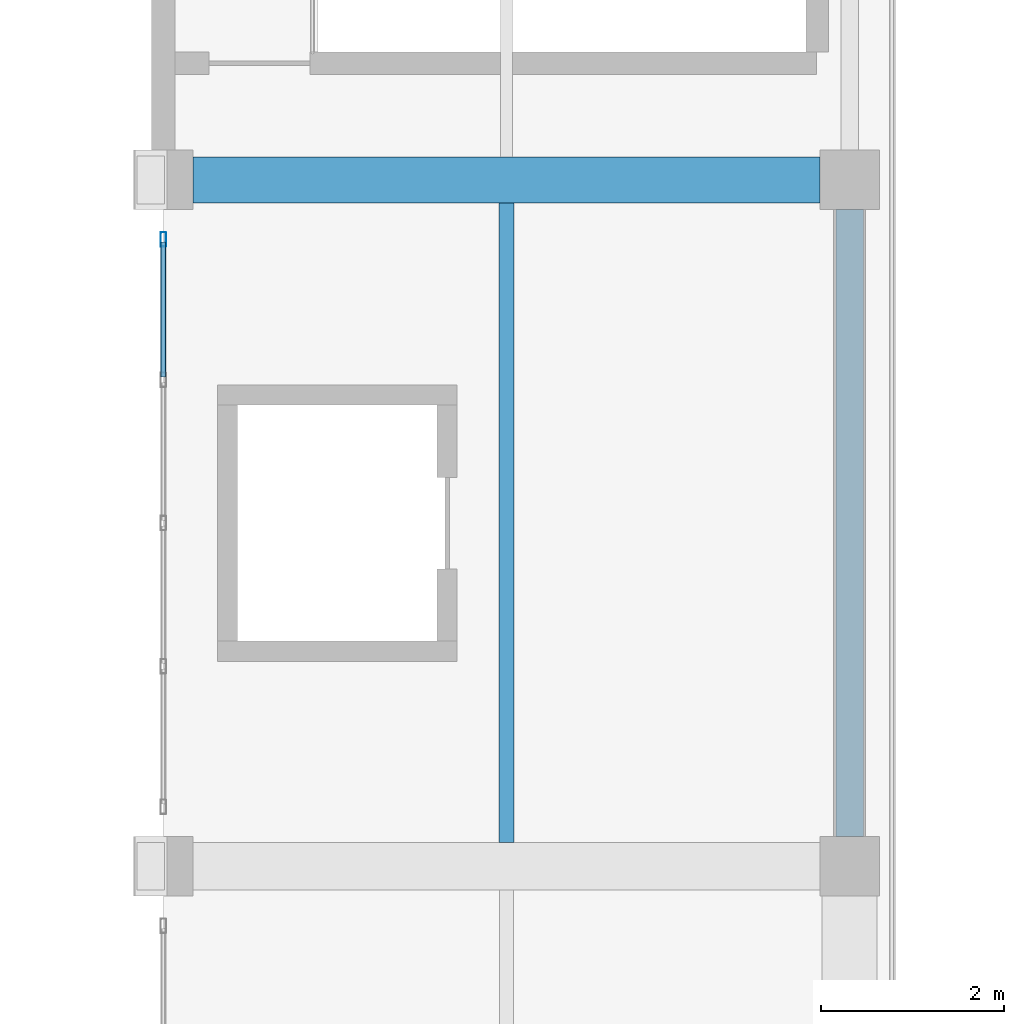
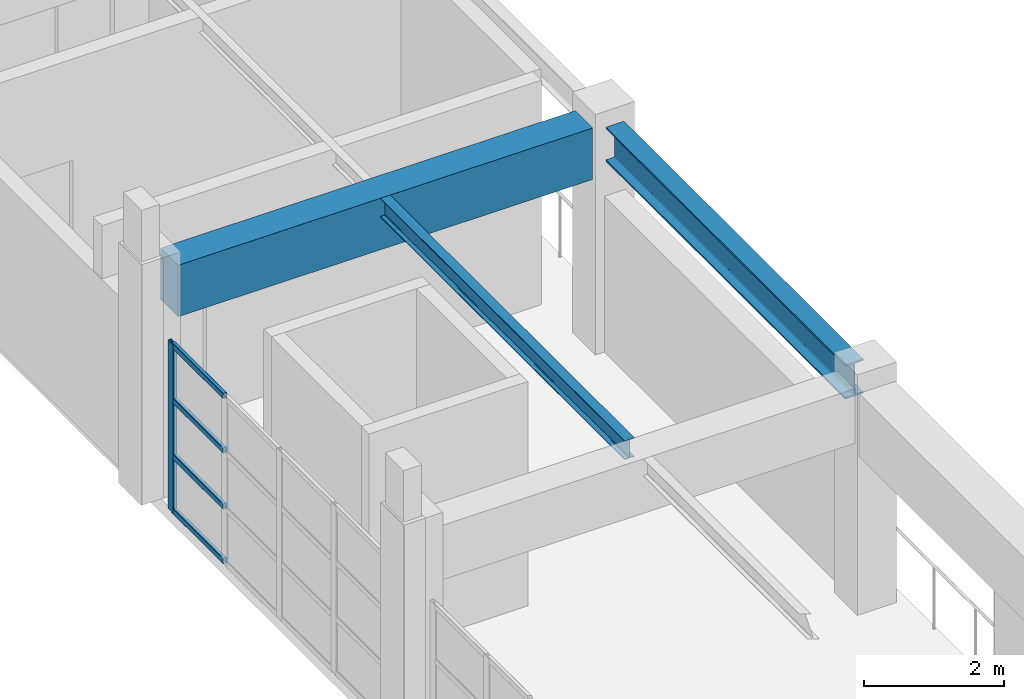
# One storey, part 5 of 51: 5 members, 3 beams, 1 element without a shape of its own.
"""IFC4 building model written with IfcOpenShell, lengths in metres."""

import ifcopenshell
import ifcopenshell.guid

model = None  # the IFC model being written
_history = None  # IfcOwnerHistory: only IFC2X3 demands one
_inside = {}  # id of a spatial element -> (the spatial element, [elements in it])
_under = {}  # id of a project, library or spatial element -> (it, [spatial elements below it])
_declared = {}  # id of a project -> (the project, [libraries it declares])
_typed = {}  # id of a type object -> (the type object, [elements of that type])
_made_of = {}  # id of a material, layer set ... -> (it, [elements and type objects made of it])


def new_model(schema):
    """Start an empty IFC model of exactly this schema.

    Asked for "IFC4X3", IfcOpenShell would pick the latest addendum, in which some entities
    have other attributes; the version numbers below select the first issue.
    IFC2X3 requires an IfcOwnerHistory on every rooted entity: one is made here for all.
    """
    global model, _history
    if schema == "IFC4X3":
        model = ifcopenshell.file(schema_version=(4, 3, 0, 0))
    else:
        model = ifcopenshell.file(schema=schema)
    _inside.clear()
    _under.clear()
    _declared.clear()
    _typed.clear()
    _made_of.clear()
    _history = None
    if model.schema == "IFC2X3":
        org = make("IfcOrganization", Name="unknown")
        user = make(
            "IfcPersonAndOrganization",
            ThePerson=make("IfcPerson", FamilyName="unknown"),
            TheOrganization=org,
        )
        app = make(
            "IfcApplication",
            ApplicationDeveloper=org,
            Version="unknown",
            ApplicationFullName="unknown",
            ApplicationIdentifier="unknown",
        )
        _history = make(
            "IfcOwnerHistory",
            OwningUser=user,
            OwningApplication=app,
            ChangeAction="ADDED",
            CreationDate=0,
        )
    return model


def make(cls, **values):
    """One entity of the class cls with the attributes given. An attribute that is None is left unset."""
    return model.create_entity(
        cls, **{name: value for name, value in values.items() if value is not None}
    )


def rooted(cls, **values):
    """An entity with a GlobalId (a new one), such as an element, a storey or a relation."""
    return make(cls, GlobalId=ifcopenshell.guid.new(), OwnerHistory=_history, **values)


def si_unit(unit_type, name, prefix=None):
    """IfcSIUnit, for example si_unit("LENGTHUNIT", "METRE", prefix="MILLI")."""
    return make("IfcSIUnit", UnitType=unit_type, Prefix=prefix, Name=name)


def assignment(units):
    """IfcUnitAssignment: the units of a project."""
    return None if units is None else make("IfcUnitAssignment", Units=units)


def point(xyz):
    """IfcCartesianPoint."""
    return None if xyz is None else make("IfcCartesianPoint", Coordinates=xyz)


def direction(xyz):
    """IfcDirection."""
    return None if xyz is None else make("IfcDirection", DirectionRatios=xyz)


def frame(location, z_axis=None, x_axis=None):
    """IfcAxis2Placement3D, a coordinate frame: its origin and axes. An axis left out is left unset."""
    return make(
        "IfcAxis2Placement3D",
        Location=point(location),
        Axis=direction(z_axis),
        RefDirection=direction(x_axis),
    )


def frame_2d(location, x_axis=None):
    """IfcAxis2Placement2D, a coordinate frame in the plane: its origin and x axis."""
    return make(
        "IfcAxis2Placement2D", Location=point(location), RefDirection=direction(x_axis)
    )


def origin():
    """The frame at (0, 0, 0) with its axes left unset."""
    return frame((0.0, 0.0, 0.0))


def origin_2d():
    """The frame at (0, 0) in the plane with its x axis left unset."""
    return frame_2d((0.0, 0.0))


def place(relative_to, where):
    """IfcLocalPlacement: puts the frame where relative to a parent placement (None: the world)."""
    return make(
        "IfcLocalPlacement", PlacementRelTo=relative_to, RelativePlacement=where
    )


def context(
    kind, dimensions, precision=None, world=None, true_north=None, identifier=None
):
    """IfcGeometricRepresentationContext, for example the 3D "Model" context."""
    return make(
        "IfcGeometricRepresentationContext",
        ContextIdentifier=identifier,
        ContextType=kind,
        CoordinateSpaceDimension=dimensions,
        Precision=precision,
        WorldCoordinateSystem=world,
        TrueNorth=true_north,
    )


def subcontext(parent, identifier, kind, view, scale=None):
    """IfcGeometricRepresentationSubContext, for example "Body" below "Model"."""
    return make(
        "IfcGeometricRepresentationSubContext",
        ContextIdentifier=identifier,
        ContextType=kind,
        ParentContext=parent,
        TargetScale=scale,
        TargetView=view,
    )


def project(units=None, contexts=None):
    """IfcProject with its units and contexts."""
    return rooted(
        "IfcProject",
        Name="project",
        RepresentationContexts=contexts,
        UnitsInContext=assignment(units),
    )


def spatial(cls, under=None, at=None, **own):
    """A site, building, storey or space (cls), placed at a placement, below another one or the project."""
    s = rooted(cls, ObjectPlacement=at, **own)
    if under is not None:
        _under.setdefault(under.id(), (under, []))[1].append(s)
    return s


def profile(cls, at=None, kind="AREA", **sizes):
    """A parametric profile (cls). Its sizes go by their IFC names, for example OverallWidth=200.0."""
    return make(cls, ProfileType=kind, Position=at, **sizes)


def rectangle(**sizes):
    """IfcRectangleProfileDef."""
    return profile("IfcRectangleProfileDef", **sizes)


def hollow_rectangle(**sizes):
    """IfcRectangleHollowProfileDef."""
    return profile("IfcRectangleHollowProfileDef", **sizes)


def i_section(**sizes):
    """IfcIShapeProfileDef."""
    return profile("IfcIShapeProfileDef", **sizes)


def extrude(swept, where, along, depth):
    """IfcExtrudedAreaSolid: the profile swept, set in the frame where, extruded along a direction by depth."""
    return make(
        "IfcExtrudedAreaSolid",
        SweptArea=swept,
        Position=where,
        ExtrudedDirection=direction(along),
        Depth=depth,
    )


def shape(context_of_items, identifier, shape_type, items):
    """IfcShapeRepresentation: the items that make up one representation, for example the "Body"."""
    return make(
        "IfcShapeRepresentation",
        ContextOfItems=context_of_items,
        RepresentationIdentifier=identifier,
        RepresentationType=shape_type,
        Items=items,
    )


def material(Name=None, Category=None):
    """IfcMaterial."""
    return make("IfcMaterial", Name=Name, Category=Category)


def material_profile(
    of_material, cross_section, Name=None, Category=None, Priority=None
):
    """IfcMaterialProfile: a cross section and its material."""
    return make(
        "IfcMaterialProfile",
        Name=Name,
        Material=of_material,
        Profile=cross_section,
        Priority=Priority,
        Category=Category,
    )


def profile_set(profiles, Name=None, composite=None):
    """IfcMaterialProfileSet."""
    return make(
        "IfcMaterialProfileSet",
        Name=Name,
        MaterialProfiles=profiles,
        CompositeProfile=composite,
    )


def made_of(thing, what):
    """Note that an element or type object is made of a material, layer set ...; save() writes the relation."""
    if what is not None:
        _made_of.setdefault(what.id(), (what, []))[1].append(thing)
    return thing


def type_object(cls, material=None, **own):
    """A type object (cls), such as IfcWallType, which elements share."""
    return made_of(rooted(cls, **own), material)


def element(
    cls,
    number,
    at=None,
    inside=None,
    cuts=None,
    type_object=None,
    material=None,
    context=None,
    identifier="Body",
    shape_type=None,
    held_by="IfcProductDefinitionShape",
    body=None,
    shapes=None,
    **own,
):
    """One element of the class cls, such as IfcWall. Its Tag is "e" and its number.

    at: its placement. inside: the storey or other place that contains it. cuts: it is an
    opening in that element (IfcRelVoidsElement). A single representation is given by context,
    identifier, shape_type and body (its items); several are given by shapes. held_by: the class
    of the entity that holds the representations. save() writes the other relations.
    """
    e = rooted(cls, Tag="e%d" % number, ObjectPlacement=at, **own)
    if body is not None:
        shapes = [shape(context, identifier, shape_type, body)]
    if shapes is not None:
        e.Representation = make(held_by, Representations=shapes)
    if inside is not None:
        _inside.setdefault(inside.id(), (inside, []))[1].append(e)
    if cuts is not None:
        rooted(
            "IfcRelVoidsElement", RelatingBuildingElement=cuts, RelatedOpeningElement=e
        )
    if type_object is not None:
        _typed.setdefault(type_object.id(), (type_object, []))[1].append(e)
    return made_of(e, material)


def aggregate(whole, parts):
    """IfcRelAggregates: a whole, such as a stair, and the parts it consists of."""
    return rooted("IfcRelAggregates", RelatingObject=whole, RelatedObjects=parts)


def save(model, path):
    """Write the relations noted so far, then the file.

    IfcRelAggregates (storeys below a building ...), IfcRelContainedInSpatialStructure (elements
    in a storey), IfcRelDefinesByType, IfcRelAssociatesMaterial and IfcRelDeclares: one each for
    every whole, place, type object, material and project.
    """
    for whole, parts in _under.values():
        aggregate(whole, parts)
    for where, things in _inside.values():
        rooted(
            "IfcRelContainedInSpatialStructure",
            RelatedElements=things,
            RelatingStructure=where,
        )
    for kind, things in _typed.values():
        rooted("IfcRelDefinesByType", RelatedObjects=things, RelatingType=kind)
    for what, things in _made_of.values():
        rooted("IfcRelAssociatesMaterial", RelatedObjects=things, RelatingMaterial=what)
    for by, libraries in _declared.values():
        rooted("IfcRelDeclares", RelatingContext=by, RelatedDefinitions=libraries)
    model.write(path)


model = new_model("IFC4")

# Units and contexts
model_context = context("Model", 3, precision=1e-05, world=origin(), true_north=direction((0.0, 1.0)))
body_context = subcontext(model_context, "Body", "Model", "MODEL_VIEW")
ifc_project = project(units=[si_unit("LENGTHUNIT", "METRE"), si_unit("AREAUNIT", "SQUARE_METRE"), si_unit("VOLUMEUNIT", "CUBIC_METRE"), si_unit("PLANEANGLEUNIT", "RADIAN"), si_unit("MASSUNIT", "GRAM", prefix="KILO")], contexts=[model_context])

# Site, building, storey
site_placement = place(None, origin())
site = spatial("IfcSite", under=ifc_project, at=site_placement, CompositionType="ELEMENT")
building_placement = place(site_placement, origin())
building = spatial("IfcBuilding", under=site, at=building_placement, Name="Qasida Concert Hall", CompositionType="ELEMENT")
storey_placement = place(building_placement, frame((0.0, 0.0, 21.0)))
storey = spatial("IfcBuildingStorey", under=building, at=storey_placement, Name="L05", CompositionType="ELEMENT", Elevation=21.0)

# Beams
ifc_material_1 = material(Name="Steel S355J2", Category="steel")
ifc_material_profile_1 = material_profile(ifc_material_1, i_section(OverallWidth=0.300048828125, OverallDepth=0.60009765625, WebThickness=0.015380859375, FlangeThickness=0.030029296875, FilletRadius=0.027099609375, at=origin_2d()), Name="HEB 600")
ifc_profile_set_1 = profile_set([ifc_material_profile_1], Name="Steel S355J2")
beam_type_1 = type_object("IfcBeamType", Name="BM-B6", PredefinedType="BEAM", material=ifc_profile_set_1)
beam_1_placement = place(storey_placement, frame((60.0, 37.824951171875, 3.6201171875), z_axis=(0.0, 1.0, 0.0), x_axis=(-1.0, 0.0, 0.0)))
element("IfcBeam", 1, at=beam_1_placement, inside=storey, type_object=beam_type_1, Name="L05 girder 2009", PredefinedType="BEAM", context=body_context, shape_type="SweptSolid", body=[
    extrude(i_section(OverallWidth=0.300048828125, OverallDepth=0.60009765625, WebThickness=0.015380859375, FlangeThickness=0.030029296875, FilletRadius=0.027099609375, at=origin_2d()), origin(), (0.0, 0.0, 1.0), 6.85009765625),
])
ifc_material_2 = material(Name="Concrete C40/50", Category="concrete")
ifc_material_profile_2 = material_profile(ifc_material_2, rectangle(XDim=0.5, YDim=0.89990234375, at=origin_2d()), Name="RC 500x900")
ifc_profile_set_2 = profile_set([ifc_material_profile_2], Name="Concrete C40/50")
beam_type_2 = type_object("IfcBeamType", Name="BM-G1", PredefinedType="USERDEFINED", material=ifc_profile_set_2)
beam_2_placement = place(storey_placement, frame((52.824951171875, 45.0, 3.469970703125), z_axis=(1.0, 0.0, 0.0), x_axis=(0.0, 1.0, 0.0)))
element("IfcBeam", 2, at=beam_2_placement, inside=storey, type_object=beam_type_2, Name="Primary girder 1994", ObjectType="GIRDER", PredefinedType="USERDEFINED", context=body_context, shape_type="SweptSolid", body=[
    extrude(rectangle(XDim=0.5, YDim=0.89990234375, at=origin_2d()), origin(), (0.0, 0.0, 1.0), 6.85009765625),
])
ifc_material_profile_3 = material_profile(ifc_material_1, i_section(OverallWidth=0.159912109375, OverallDepth=0.330078125, WebThickness=0.007568359375, FlangeThickness=0.011474609375, FilletRadius=0.01806640625, at=origin_2d()), Name="IPE 330")
ifc_profile_set_3 = profile_set([ifc_material_profile_3], Name="Steel S355J2")
beam_type_3 = type_object("IfcBeamType", Name="BM-J5", PredefinedType="JOIST", material=ifc_profile_set_3)
beam_3_placement = place(storey_placement, frame((56.25, 37.760009765625, 3.7548828125), z_axis=(0.0, 1.0, 0.0), x_axis=(-1.0, 0.0, 0.0)))
element("IfcBeam", 3, at=beam_3_placement, inside=storey, type_object=beam_type_3, Name="L05 secondary joist 2028", PredefinedType="JOIST", context=body_context, shape_type="SweptSolid", body=[
    extrude(i_section(OverallWidth=0.159912109375, OverallDepth=0.330078125, WebThickness=0.007568359375, FlangeThickness=0.011474609375, FilletRadius=0.01806640625, at=origin_2d()), origin(), (0.0, 0.0, 1.0), 6.989990234375),
])

# Curtain wall, members
ifc_material_3 = material(Name="Architectural bronze-anodized aluminium and low-E glass", Category="aluminium")
curtain_wall_type = type_object("IfcCurtainWallType", Name="CW-05", PredefinedType="NOTDEFINED", material=ifc_material_3)
curtain_wall_placement = place(storey_placement, origin())
curtain_wall = element("IfcCurtainWall", 4, at=curtain_wall_placement, inside=storey, type_object=curtain_wall_type, Name="L05 curtain wall CW-05 0064", PredefinedType="NOTDEFINED")
ifc_material_4 = material(Name="Architectural bronze-anodized aluminium EN AW-6063", Category="aluminium")
ifc_material_profile_4 = material_profile(ifc_material_4, hollow_rectangle(XDim=0.06005859375, YDim=0.159912109375, WallThickness=0.00390625, InnerFilletRadius=0.00390625, OuterFilletRadius=0.008056640625, at=origin_2d()), Name="CWM 160x60x4")
ifc_profile_set_4 = profile_set([ifc_material_profile_4], Name="Architectural bronze-anodized aluminium EN AW-6063")
member_type_1 = type_object("IfcMemberType", Name="MB-CWM-3", PredefinedType="MULLION", material=ifc_profile_set_4)
member_1_placement = place(storey_placement, frame((52.5, 44.35009765625, 0.0), z_axis=(0.0, 0.0, 1.0), x_axis=(-1.0, 0.0, 0.0)))
member_1 = element("IfcMember", 5, at=member_1_placement, type_object=member_type_1, Name="CW-05 mullion 5", PredefinedType="MULLION", context=body_context, shape_type="SweptSolid", body=[
    extrude(hollow_rectangle(XDim=0.06005859375, YDim=0.159912109375, WallThickness=0.00390625, InnerFilletRadius=0.00390625, OuterFilletRadius=0.008056640625, at=origin_2d()), origin(), (0.0, 0.0, 1.0), 2.93994140625),
])
ifc_material_profile_5 = material_profile(ifc_material_4, hollow_rectangle(XDim=0.06005859375, YDim=0.10009765625, WallThickness=0.00341796875, InnerFilletRadius=0.00341796875, OuterFilletRadius=0.007080078125, at=origin_2d()), Name="CWT 100x60x3.5")
ifc_profile_set_5 = profile_set([ifc_material_profile_5], Name="Architectural bronze-anodized aluminium EN AW-6063")
member_type_2 = type_object("IfcMemberType", Name="MB-CWT-3", PredefinedType="USERDEFINED", material=ifc_profile_set_5)
member_2_placement = place(storey_placement, frame((52.5, 42.844970703125, 0.030029296875), z_axis=(0.0, 1.0, 0.0), x_axis=(-1.0, 0.0, 0.0)))
member_2 = element("IfcMember", 6, at=member_2_placement, type_object=member_type_2, Name="CW-05 transom 4.1", ObjectType="TRANSOM", PredefinedType="USERDEFINED", context=body_context, shape_type="SweptSolid", body=[
    extrude(hollow_rectangle(XDim=0.06005859375, YDim=0.10009765625, WallThickness=0.00341796875, InnerFilletRadius=0.00341796875, OuterFilletRadius=0.007080078125, at=origin_2d()), origin(), (0.0, 0.0, 1.0), 1.47509765625),
])
member_3_placement = place(storey_placement, frame((52.5, 42.844970703125, 0.97998046875), z_axis=(0.0, 1.0, 0.0), x_axis=(-1.0, 0.0, 0.0)))
member_3 = element("IfcMember", 7, at=member_3_placement, type_object=member_type_2, Name="CW-05 transom 4.2", ObjectType="TRANSOM", PredefinedType="USERDEFINED", context=body_context, shape_type="SweptSolid", body=[
    extrude(hollow_rectangle(XDim=0.06005859375, YDim=0.10009765625, WallThickness=0.00341796875, InnerFilletRadius=0.00341796875, OuterFilletRadius=0.007080078125, at=origin_2d()), origin(), (0.0, 0.0, 1.0), 1.47509765625),
])
member_4_placement = place(storey_placement, frame((52.5, 42.844970703125, 1.9599609375), z_axis=(0.0, 1.0, 0.0), x_axis=(-1.0, 0.0, 0.0)))
member_4 = element("IfcMember", 8, at=member_4_placement, type_object=member_type_2, Name="CW-05 transom 4.3", ObjectType="TRANSOM", PredefinedType="USERDEFINED", context=body_context, shape_type="SweptSolid", body=[
    extrude(hollow_rectangle(XDim=0.06005859375, YDim=0.10009765625, WallThickness=0.00341796875, InnerFilletRadius=0.00341796875, OuterFilletRadius=0.007080078125, at=origin_2d()), origin(), (0.0, 0.0, 1.0), 1.47509765625),
])
member_5_placement = place(storey_placement, frame((52.5, 42.844970703125, 2.909912109375), z_axis=(0.0, 1.0, 0.0), x_axis=(-1.0, 0.0, 0.0)))
member_5 = element("IfcMember", 9, at=member_5_placement, type_object=member_type_2, Name="CW-05 transom 4.4", ObjectType="TRANSOM", PredefinedType="USERDEFINED", context=body_context, shape_type="SweptSolid", body=[
    extrude(hollow_rectangle(XDim=0.06005859375, YDim=0.10009765625, WallThickness=0.00341796875, InnerFilletRadius=0.00341796875, OuterFilletRadius=0.007080078125, at=origin_2d()), origin(), (0.0, 0.0, 1.0), 1.47509765625),
])
aggregate(curtain_wall, [member_1, member_2, member_3, member_4, member_5])

save(model, "model.ifc")
